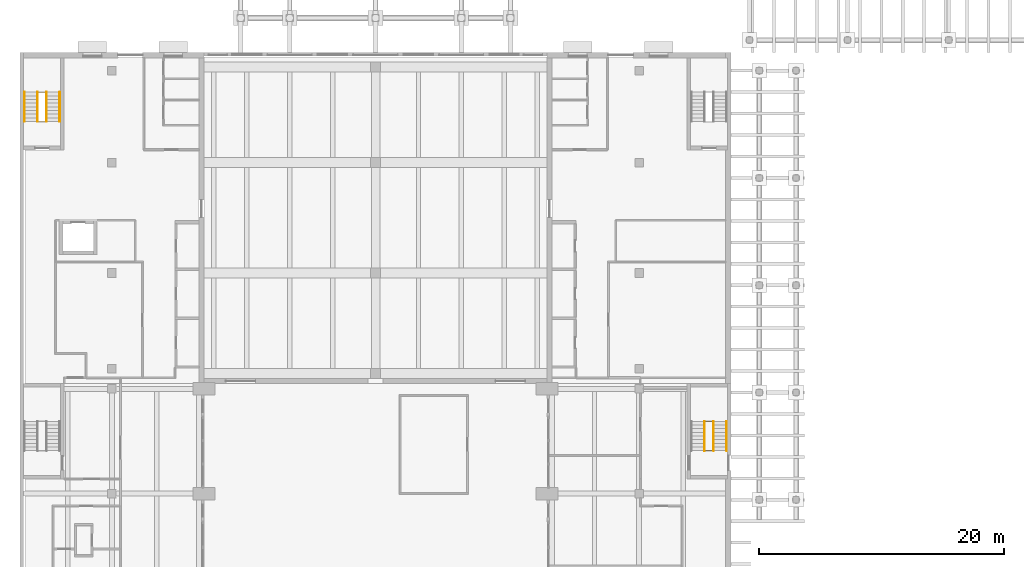
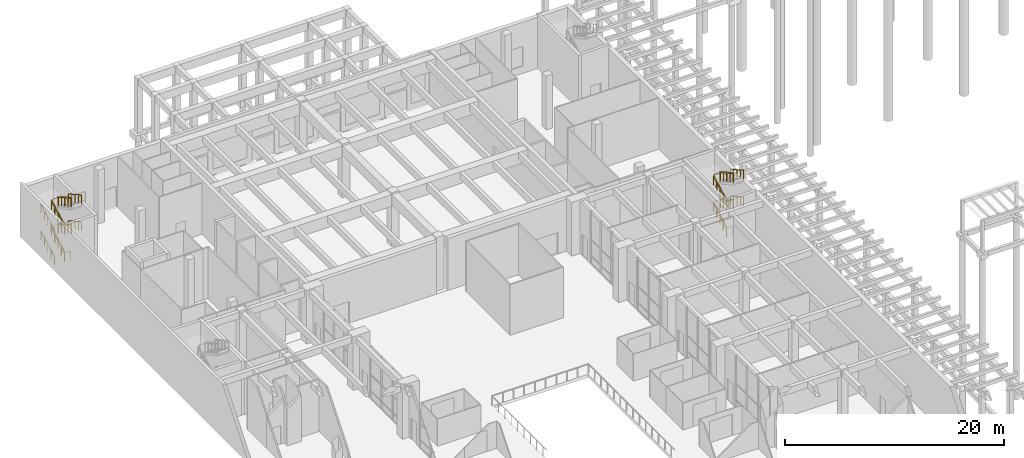
# One storey, part 48 of 51: 16 railings.
"""IFC4 building model written with IfcOpenShell, lengths in metres."""

from ifc_helpers import new_model, si_unit, direction, frame, origin, origin_2d, place, context, subcontext, project, spatial, circle, extrude, material, type_object, element, save


model = new_model("IFC4")

# Units and contexts
model_context = context("Model", 3, precision=1e-05, world=origin(), true_north=direction((0.0, 1.0)))
body_context = subcontext(model_context, "Body", "Model", "MODEL_VIEW")
ifc_project = project(units=[si_unit("LENGTHUNIT", "METRE"), si_unit("AREAUNIT", "SQUARE_METRE"), si_unit("VOLUMEUNIT", "CUBIC_METRE"), si_unit("PLANEANGLEUNIT", "RADIAN"), si_unit("MASSUNIT", "GRAM", prefix="KILO")], contexts=[model_context])

# Site, building, storey
site_placement = place(None, origin())
site = spatial("IfcSite", under=ifc_project, at=site_placement, CompositionType="ELEMENT")
building_placement = place(site_placement, origin())
building = spatial("IfcBuilding", under=site, at=building_placement, Name="Elmora Arch Market Hall", CompositionType="ELEMENT")
storey_placement = place(building_placement, origin())
storey = spatial("IfcBuildingStorey", under=building, at=storey_placement, Name="L00", CompositionType="ELEMENT", Elevation=0.0)

# Railings
ifc_material_1 = material(Name="Steel ASTM A500 Gr C", Category="steel")
railing_type_1 = type_object("IfcRailingType", Name="Stair guard 1100", PredefinedType="GUARDRAIL", material=ifc_material_1)
railing_1_placement = place(storey_placement, frame((2.1201171875, 120.35009765625, 0.0)))
element("IfcRailing", 1, at=railing_1_placement, inside=storey, type_object=railing_type_1, Name="Stair ST-W guard L00", PredefinedType="GUARDRAIL", context=body_context, shape_type="SweptSolid", body=[
    extrude(circle(Radius=0.02392578125, at=origin_2d()), frame((0.0, 0.0, 1.076171875), z_axis=(-1.0, 0.0, 0.0), x_axis=(0.0, -1.0, 0.0)), (0.0, 0.0, 1.0), 0.64013671875),
    extrude(circle(Radius=0.02392578125, at=origin_2d()), frame((-0.64013671875, 0.0, 1.076171875), z_axis=(0.0, 0.0, 1.0), x_axis=(1.0, 0.0, 0.0)), (0.0, 0.0, 1.0), 0.166748046875),
    extrude(circle(Radius=0.02392578125, at=origin_2d()), frame((-0.64013671875, 0.0, 1.24267578125), z_axis=(0.0, 0.874157276122, 0.485642931179), x_axis=(-1.0, 0.0, 0.0)), (0.0, 0.0, 1.0), 0.686279296875),
    extrude(circle(Radius=0.02392578125, at=origin_2d()), frame((-0.64013671875, 0.599853515625, 1.576171875), z_axis=(0.0, 0.874241147926, 0.485491931212), x_axis=(-1.0, 0.0, 0.0)), (0.0, 0.0, 1.0), 0.6865234375),
    extrude(circle(Radius=0.02392578125, at=origin_2d()), frame((-0.64013671875, 1.199951171875, 1.9091796875), z_axis=(0.0, 0.874006220275, 0.485914732151), x_axis=(-1.0, 0.0, 0.0)), (0.0, 0.0, 1.0), 0.686279296875),
    extrude(circle(Radius=0.02392578125, at=origin_2d()), frame((-0.64013671875, 1.7998046875, 2.24267578125), z_axis=(0.0, 0.874241147926, 0.485491931212), x_axis=(-1.0, 0.0, 0.0)), (0.0, 0.0, 1.0), 0.6865234375),
    extrude(circle(Radius=0.02392578125, at=origin_2d()), frame((-0.64013671875, 2.39990234375, 2.576171875), z_axis=(1.0, 0.0, 0.0), x_axis=(0.0, 1.0, 0.0)), (0.0, 0.0, 1.0), 0.64013671875),
    extrude(circle(Radius=0.02392578125, at=origin_2d()), frame((0.0, 2.39990234375, 2.576171875), z_axis=(0.0, 0.0, 1.0), x_axis=(1.0, 0.0, 0.0)), (0.0, 0.0, 1.0), 0.166748046875),
    extrude(circle(Radius=0.02392578125, at=origin_2d()), frame((0.0, 2.39990234375, 2.74267578125), z_axis=(0.0, -0.874241147926, 0.485491931212), x_axis=(1.0, 0.0, 0.0)), (0.0, 0.0, 1.0), 0.6865234375),
    extrude(circle(Radius=0.02392578125, at=origin_2d()), frame((0.0, 1.7998046875, 3.076171875), z_axis=(0.0, -0.874157276122, 0.485642931179), x_axis=(1.0, 0.0, 0.0)), (0.0, 0.0, 1.0), 0.686279296875),
    extrude(circle(Radius=0.02392578125, at=origin_2d()), frame((0.0, 1.199951171875, 3.4091796875), z_axis=(0.0, -0.874090171491, 0.485763699861), x_axis=(1.0, 0.0, 0.0)), (0.0, 0.0, 1.0), 0.6865234375),
    extrude(circle(Radius=0.02392578125, at=origin_2d()), frame((0.0, 0.599853515625, 3.74267578125), z_axis=(0.0, -0.874157276122, 0.485642931179), x_axis=(1.0, 0.0, 0.0)), (0.0, 0.0, 1.0), 0.686279296875),
    extrude(circle(Radius=0.02392578125, at=origin_2d()), frame((0.0, 0.0, 4.076171875), z_axis=(-1.0, 0.0, 0.0), x_axis=(0.0, -1.0, 0.0)), (0.0, 0.0, 1.0), 0.64013671875),
    extrude(circle(Radius=0.02392578125, at=origin_2d()), frame((-0.64013671875, 0.0, 4.076171875), z_axis=(0.0, 0.0, 1.0), x_axis=(1.0, 0.0, 0.0)), (0.0, 0.0, 1.0), 0.166748046875),
    extrude(circle(Radius=0.02392578125, at=origin_2d()), frame((-0.64013671875, 0.0, 4.24267578125), z_axis=(0.0, 0.874157276122, 0.485642931179), x_axis=(-1.0, 0.0, 0.0)), (0.0, 0.0, 1.0), 0.686279296875),
    extrude(circle(Radius=0.02392578125, at=origin_2d()), frame((-0.64013671875, 0.599853515625, 4.576171875), z_axis=(0.0, 0.874241147926, 0.485491931212), x_axis=(-1.0, 0.0, 0.0)), (0.0, 0.0, 1.0), 0.6865234375),
    extrude(circle(Radius=0.02392578125, at=origin_2d()), frame((-0.64013671875, 1.199951171875, 4.9091796875), z_axis=(0.0, 0.874006220275, 0.485914732151), x_axis=(-1.0, 0.0, 0.0)), (0.0, 0.0, 1.0), 0.686279296875),
    extrude(circle(Radius=0.02392578125, at=origin_2d()), frame((-0.64013671875, 1.7998046875, 5.24267578125), z_axis=(0.0, 0.874241147926, 0.485491931212), x_axis=(-1.0, 0.0, 0.0)), (0.0, 0.0, 1.0), 0.6865234375),
    extrude(circle(Radius=0.02392578125, at=origin_2d()), frame((-0.64013671875, 2.39990234375, 5.576171875), z_axis=(1.0, 0.0, 0.0), x_axis=(0.0, 1.0, 0.0)), (0.0, 0.0, 1.0), 0.64013671875),
    extrude(circle(Radius=0.02392578125, at=origin_2d()), frame((0.0, 2.39990234375, 5.576171875), z_axis=(0.0, 0.0, 1.0), x_axis=(1.0, 0.0, 0.0)), (0.0, 0.0, 1.0), 0.166748046875),
    extrude(circle(Radius=0.02392578125, at=origin_2d()), frame((0.0, 2.39990234375, 5.74267578125), z_axis=(0.0, -0.874241147926, 0.485491931212), x_axis=(1.0, 0.0, 0.0)), (0.0, 0.0, 1.0), 0.6865234375),
    extrude(circle(Radius=0.02392578125, at=origin_2d()), frame((0.0, 1.7998046875, 6.076171875), z_axis=(0.0, -0.874157276122, 0.485642931179), x_axis=(1.0, 0.0, 0.0)), (0.0, 0.0, 1.0), 0.686279296875),
    extrude(circle(Radius=0.02392578125, at=origin_2d()), frame((0.0, 1.199951171875, 6.4091796875), z_axis=(0.0, -0.874090171491, 0.485763699861), x_axis=(1.0, 0.0, 0.0)), (0.0, 0.0, 1.0), 0.6865234375),
    extrude(circle(Radius=0.02392578125, at=origin_2d()), frame((0.0, 0.599853515625, 6.74267578125), z_axis=(0.0, -0.874157276122, 0.485642931179), x_axis=(1.0, 0.0, 0.0)), (0.0, 0.0, 1.0), 0.686279296875),
    extrude(circle(Radius=0.02099609375, at=origin_2d()), origin(), (0.0, 0.0, 1.0), 1.052001953125),
    extrude(circle(Radius=0.02099609375, at=origin_2d()), frame((-0.64013671875, 0.0, 0.0)), (0.0, 0.0, 1.0), 1.052001953125),
    extrude(circle(Radius=0.02099609375, at=origin_2d()), frame((-0.64013671875, 0.0, 0.166748046875)), (0.0, 0.0, 1.0), 1.052001953125),
    extrude(circle(Radius=0.02099609375, at=origin_2d()), frame((-0.64013671875, 0.599853515625, 0.5)), (0.0, 0.0, 1.0), 1.052001953125),
    extrude(circle(Radius=0.02099609375, at=origin_2d()), frame((-0.64013671875, 1.199951171875, 0.833251953125)), (0.0, 0.0, 1.0), 1.052001953125),
    extrude(circle(Radius=0.02099609375, at=origin_2d()), frame((-0.64013671875, 1.7998046875, 1.166748046875)), (0.0, 0.0, 1.0), 1.052001953125),
    extrude(circle(Radius=0.02099609375, at=origin_2d()), frame((-0.64013671875, 2.39990234375, 1.5)), (0.0, 0.0, 1.0), 1.052001953125),
    extrude(circle(Radius=0.02099609375, at=origin_2d()), frame((0.0, 2.39990234375, 1.5)), (0.0, 0.0, 1.0), 1.052001953125),
    extrude(circle(Radius=0.02099609375, at=origin_2d()), frame((0.0, 2.39990234375, 1.666748046875)), (0.0, 0.0, 1.0), 1.052001953125),
    extrude(circle(Radius=0.02099609375, at=origin_2d()), frame((0.0, 1.7998046875, 2.0)), (0.0, 0.0, 1.0), 1.052001953125),
    extrude(circle(Radius=0.02099609375, at=origin_2d()), frame((0.0, 1.199951171875, 2.333251953125)), (0.0, 0.0, 1.0), 1.052001953125),
    extrude(circle(Radius=0.02099609375, at=origin_2d()), frame((0.0, 0.599853515625, 2.666748046875)), (0.0, 0.0, 1.0), 1.052001953125),
    extrude(circle(Radius=0.02099609375, at=origin_2d()), frame((0.0, 0.0, 3.0)), (0.0, 0.0, 1.0), 1.052001953125),
    extrude(circle(Radius=0.02099609375, at=origin_2d()), frame((-0.64013671875, 0.0, 3.0)), (0.0, 0.0, 1.0), 1.052001953125),
    extrude(circle(Radius=0.02099609375, at=origin_2d()), frame((-0.64013671875, 0.0, 3.166748046875)), (0.0, 0.0, 1.0), 1.052001953125),
    extrude(circle(Radius=0.02099609375, at=origin_2d()), frame((-0.64013671875, 0.599853515625, 3.5)), (0.0, 0.0, 1.0), 1.052001953125),
    extrude(circle(Radius=0.02099609375, at=origin_2d()), frame((-0.64013671875, 1.199951171875, 3.833251953125)), (0.0, 0.0, 1.0), 1.052001953125),
    extrude(circle(Radius=0.02099609375, at=origin_2d()), frame((-0.64013671875, 1.7998046875, 4.166748046875)), (0.0, 0.0, 1.0), 1.052001953125),
    extrude(circle(Radius=0.02099609375, at=origin_2d()), frame((-0.64013671875, 2.39990234375, 4.5)), (0.0, 0.0, 1.0), 1.052001953125),
    extrude(circle(Radius=0.02099609375, at=origin_2d()), frame((0.0, 2.39990234375, 4.5)), (0.0, 0.0, 1.0), 1.052001953125),
    extrude(circle(Radius=0.02099609375, at=origin_2d()), frame((0.0, 2.39990234375, 4.666748046875)), (0.0, 0.0, 1.0), 1.052001953125),
    extrude(circle(Radius=0.02099609375, at=origin_2d()), frame((0.0, 1.7998046875, 5.0)), (0.0, 0.0, 1.0), 1.052001953125),
    extrude(circle(Radius=0.02099609375, at=origin_2d()), frame((0.0, 1.199951171875, 5.333251953125)), (0.0, 0.0, 1.0), 1.052001953125),
    extrude(circle(Radius=0.02099609375, at=origin_2d()), frame((0.0, 0.599853515625, 5.666748046875)), (0.0, 0.0, 1.0), 1.052001953125),
    extrude(circle(Radius=0.02099609375, at=origin_2d()), frame((0.0, 0.0, 6.0)), (0.0, 0.0, 1.0), 1.052001953125),
])
railing_2_placement = place(storey_placement, frame((56.52001953125, 93.5, 0.0)))
element("IfcRailing", 2, at=railing_2_placement, inside=storey, type_object=railing_type_1, Name="Stair ST-EN guard L00", PredefinedType="GUARDRAIL", context=body_context, shape_type="SweptSolid", body=[
    extrude(circle(Radius=0.02392578125, at=origin_2d()), frame((0.0, 0.0, 1.076171875), z_axis=(-1.0, 0.0, 0.0), x_axis=(0.0, -1.0, 0.0)), (0.0, 0.0, 1.0), 0.64013671875),
    extrude(circle(Radius=0.02392578125, at=origin_2d()), frame((-0.64013671875, 0.0, 1.076171875), z_axis=(0.0, 0.0, 1.0), x_axis=(1.0, 0.0, 0.0)), (0.0, 0.0, 1.0), 0.166748046875),
    extrude(circle(Radius=0.02392578125, at=origin_2d()), frame((-0.64013671875, 0.0, 1.24267578125), z_axis=(0.0, 0.874241147926, 0.485491931212), x_axis=(-1.0, 0.0, 0.0)), (0.0, 0.0, 1.0), 0.6865234375),
    extrude(circle(Radius=0.02392578125, at=origin_2d()), frame((-0.64013671875, 0.60009765625, 1.576171875), z_axis=(0.0, 0.874157276122, 0.485642931179), x_axis=(-1.0, 0.0, 0.0)), (0.0, 0.0, 1.0), 0.686279296875),
    extrude(circle(Radius=0.02392578125, at=origin_2d()), frame((-0.64013671875, 1.199951171875, 1.9091796875), z_axis=(0.0, 0.874090171491, 0.485763699861), x_axis=(-1.0, 0.0, 0.0)), (0.0, 0.0, 1.0), 0.6865234375),
    extrude(circle(Radius=0.02392578125, at=origin_2d()), frame((-0.64013671875, 1.800048828125, 2.24267578125), z_axis=(0.0, 0.874157276122, 0.485642931179), x_axis=(-1.0, 0.0, 0.0)), (0.0, 0.0, 1.0), 0.686279296875),
    extrude(circle(Radius=0.02392578125, at=origin_2d()), frame((-0.64013671875, 2.39990234375, 2.576171875), z_axis=(1.0, 0.0, 0.0), x_axis=(0.0, 1.0, 0.0)), (0.0, 0.0, 1.0), 0.64013671875),
    extrude(circle(Radius=0.02392578125, at=origin_2d()), frame((0.0, 2.39990234375, 2.576171875), z_axis=(0.0, 0.0, 1.0), x_axis=(1.0, 0.0, 0.0)), (0.0, 0.0, 1.0), 0.166748046875),
    extrude(circle(Radius=0.02392578125, at=origin_2d()), frame((0.0, 2.39990234375, 2.74267578125), z_axis=(0.0, -0.874157276122, 0.485642931179), x_axis=(1.0, 0.0, 0.0)), (0.0, 0.0, 1.0), 0.686279296875),
    extrude(circle(Radius=0.02392578125, at=origin_2d()), frame((0.0, 1.800048828125, 3.076171875), z_axis=(0.0, -0.874241147926, 0.485491931212), x_axis=(1.0, 0.0, 0.0)), (0.0, 0.0, 1.0), 0.6865234375),
    extrude(circle(Radius=0.02392578125, at=origin_2d()), frame((0.0, 1.199951171875, 3.4091796875), z_axis=(0.0, -0.874006220275, 0.485914732151), x_axis=(1.0, 0.0, 0.0)), (0.0, 0.0, 1.0), 0.686279296875),
    extrude(circle(Radius=0.02392578125, at=origin_2d()), frame((0.0, 0.60009765625, 3.74267578125), z_axis=(0.0, -0.874241147926, 0.485491931212), x_axis=(1.0, 0.0, 0.0)), (0.0, 0.0, 1.0), 0.6865234375),
    extrude(circle(Radius=0.02392578125, at=origin_2d()), frame((0.0, 0.0, 4.076171875), z_axis=(-1.0, 0.0, 0.0), x_axis=(0.0, -1.0, 0.0)), (0.0, 0.0, 1.0), 0.64013671875),
    extrude(circle(Radius=0.02392578125, at=origin_2d()), frame((-0.64013671875, 0.0, 4.076171875), z_axis=(0.0, 0.0, 1.0), x_axis=(1.0, 0.0, 0.0)), (0.0, 0.0, 1.0), 0.166748046875),
    extrude(circle(Radius=0.02392578125, at=origin_2d()), frame((-0.64013671875, 0.0, 4.24267578125), z_axis=(0.0, 0.874241147926, 0.485491931212), x_axis=(-1.0, 0.0, 0.0)), (0.0, 0.0, 1.0), 0.6865234375),
    extrude(circle(Radius=0.02392578125, at=origin_2d()), frame((-0.64013671875, 0.60009765625, 4.576171875), z_axis=(0.0, 0.874157276122, 0.485642931179), x_axis=(-1.0, 0.0, 0.0)), (0.0, 0.0, 1.0), 0.686279296875),
    extrude(circle(Radius=0.02392578125, at=origin_2d()), frame((-0.64013671875, 1.199951171875, 4.9091796875), z_axis=(0.0, 0.874090171491, 0.485763699861), x_axis=(-1.0, 0.0, 0.0)), (0.0, 0.0, 1.0), 0.6865234375),
    extrude(circle(Radius=0.02392578125, at=origin_2d()), frame((-0.64013671875, 1.800048828125, 5.24267578125), z_axis=(0.0, 0.874157276122, 0.485642931179), x_axis=(-1.0, 0.0, 0.0)), (0.0, 0.0, 1.0), 0.686279296875),
    extrude(circle(Radius=0.02392578125, at=origin_2d()), frame((-0.64013671875, 2.39990234375, 5.576171875), z_axis=(1.0, 0.0, 0.0), x_axis=(0.0, 1.0, 0.0)), (0.0, 0.0, 1.0), 0.64013671875),
    extrude(circle(Radius=0.02392578125, at=origin_2d()), frame((0.0, 2.39990234375, 5.576171875), z_axis=(0.0, 0.0, 1.0), x_axis=(1.0, 0.0, 0.0)), (0.0, 0.0, 1.0), 0.166748046875),
    extrude(circle(Radius=0.02392578125, at=origin_2d()), frame((0.0, 2.39990234375, 5.74267578125), z_axis=(0.0, -0.874157276122, 0.485642931179), x_axis=(1.0, 0.0, 0.0)), (0.0, 0.0, 1.0), 0.686279296875),
    extrude(circle(Radius=0.02392578125, at=origin_2d()), frame((0.0, 1.800048828125, 6.076171875), z_axis=(0.0, -0.874241147926, 0.485491931212), x_axis=(1.0, 0.0, 0.0)), (0.0, 0.0, 1.0), 0.6865234375),
    extrude(circle(Radius=0.02392578125, at=origin_2d()), frame((0.0, 1.199951171875, 6.4091796875), z_axis=(0.0, -0.874006220275, 0.485914732151), x_axis=(1.0, 0.0, 0.0)), (0.0, 0.0, 1.0), 0.686279296875),
    extrude(circle(Radius=0.02392578125, at=origin_2d()), frame((0.0, 0.60009765625, 6.74267578125), z_axis=(0.0, -0.874241147926, 0.485491931212), x_axis=(1.0, 0.0, 0.0)), (0.0, 0.0, 1.0), 0.6865234375),
    extrude(circle(Radius=0.02099609375, at=origin_2d()), origin(), (0.0, 0.0, 1.0), 1.052001953125),
    extrude(circle(Radius=0.02099609375, at=origin_2d()), frame((-0.64013671875, 0.0, 0.0)), (0.0, 0.0, 1.0), 1.052001953125),
    extrude(circle(Radius=0.02099609375, at=origin_2d()), frame((-0.64013671875, 0.0, 0.166748046875)), (0.0, 0.0, 1.0), 1.052001953125),
    extrude(circle(Radius=0.02099609375, at=origin_2d()), frame((-0.64013671875, 0.60009765625, 0.5)), (0.0, 0.0, 1.0), 1.052001953125),
    extrude(circle(Radius=0.02099609375, at=origin_2d()), frame((-0.64013671875, 1.199951171875, 0.833251953125)), (0.0, 0.0, 1.0), 1.052001953125),
    extrude(circle(Radius=0.02099609375, at=origin_2d()), frame((-0.64013671875, 1.800048828125, 1.166748046875)), (0.0, 0.0, 1.0), 1.052001953125),
    extrude(circle(Radius=0.02099609375, at=origin_2d()), frame((-0.64013671875, 2.39990234375, 1.5)), (0.0, 0.0, 1.0), 1.052001953125),
    extrude(circle(Radius=0.02099609375, at=origin_2d()), frame((0.0, 2.39990234375, 1.5)), (0.0, 0.0, 1.0), 1.052001953125),
    extrude(circle(Radius=0.02099609375, at=origin_2d()), frame((0.0, 2.39990234375, 1.666748046875)), (0.0, 0.0, 1.0), 1.052001953125),
    extrude(circle(Radius=0.02099609375, at=origin_2d()), frame((0.0, 1.800048828125, 2.0)), (0.0, 0.0, 1.0), 1.052001953125),
    extrude(circle(Radius=0.02099609375, at=origin_2d()), frame((0.0, 1.199951171875, 2.333251953125)), (0.0, 0.0, 1.0), 1.052001953125),
    extrude(circle(Radius=0.02099609375, at=origin_2d()), frame((0.0, 0.60009765625, 2.666748046875)), (0.0, 0.0, 1.0), 1.052001953125),
    extrude(circle(Radius=0.02099609375, at=origin_2d()), frame((0.0, 0.0, 3.0)), (0.0, 0.0, 1.0), 1.052001953125),
    extrude(circle(Radius=0.02099609375, at=origin_2d()), frame((-0.64013671875, 0.0, 3.0)), (0.0, 0.0, 1.0), 1.052001953125),
    extrude(circle(Radius=0.02099609375, at=origin_2d()), frame((-0.64013671875, 0.0, 3.166748046875)), (0.0, 0.0, 1.0), 1.052001953125),
    extrude(circle(Radius=0.02099609375, at=origin_2d()), frame((-0.64013671875, 0.60009765625, 3.5)), (0.0, 0.0, 1.0), 1.052001953125),
    extrude(circle(Radius=0.02099609375, at=origin_2d()), frame((-0.64013671875, 1.199951171875, 3.833251953125)), (0.0, 0.0, 1.0), 1.052001953125),
    extrude(circle(Radius=0.02099609375, at=origin_2d()), frame((-0.64013671875, 1.800048828125, 4.166748046875)), (0.0, 0.0, 1.0), 1.052001953125),
    extrude(circle(Radius=0.02099609375, at=origin_2d()), frame((-0.64013671875, 2.39990234375, 4.5)), (0.0, 0.0, 1.0), 1.052001953125),
    extrude(circle(Radius=0.02099609375, at=origin_2d()), frame((0.0, 2.39990234375, 4.5)), (0.0, 0.0, 1.0), 1.052001953125),
    extrude(circle(Radius=0.02099609375, at=origin_2d()), frame((0.0, 2.39990234375, 4.666748046875)), (0.0, 0.0, 1.0), 1.052001953125),
    extrude(circle(Radius=0.02099609375, at=origin_2d()), frame((0.0, 1.800048828125, 5.0)), (0.0, 0.0, 1.0), 1.052001953125),
    extrude(circle(Radius=0.02099609375, at=origin_2d()), frame((0.0, 1.199951171875, 5.333251953125)), (0.0, 0.0, 1.0), 1.052001953125),
    extrude(circle(Radius=0.02099609375, at=origin_2d()), frame((0.0, 0.60009765625, 5.666748046875)), (0.0, 0.0, 1.0), 1.052001953125),
    extrude(circle(Radius=0.02099609375, at=origin_2d()), frame((0.0, 0.0, 6.0)), (0.0, 0.0, 1.0), 1.052001953125),
])
ifc_material_2 = material(Name="Stainless steel ASTM A554 Grade 304", Category="steel")
railing_type_2 = type_object("IfcRailingType", Name="Stair handrail 950", PredefinedType="HANDRAIL", material=ifc_material_2)
for number, where, name in (
    (3, (0.360107421875, 120.35009765625, 0.166748046875), "Stair ST-W L00 flight 1 handrail"),
    (4, (1.429931640625, 120.35009765625, 0.166748046875), "Stair ST-W L00 flight 1 handrail"),
):
    element("IfcRailing", number, at=place(storey_placement, frame(where)), inside=storey, type_object=railing_type_2, Name=name, PredefinedType="HANDRAIL", context=body_context, shape_type="SweptSolid", body=[
        extrude(circle(Radius=0.02392578125, at=origin_2d()), frame((0.0, 0.0, 0.92578125), z_axis=(0.0, 0.874157276122, 0.485642931179), x_axis=(-1.0, 0.0, 0.0)), (0.0, 0.0, 1.0), 0.686279296875),
        extrude(circle(Radius=0.02392578125, at=origin_2d()), frame((0.0, 0.599853515625, 1.25927734375), z_axis=(0.0, 0.874241147926, 0.485491931212), x_axis=(-1.0, 0.0, 0.0)), (0.0, 0.0, 1.0), 0.6865234375),
        extrude(circle(Radius=0.02392578125, at=origin_2d()), frame((0.0, 1.199951171875, 1.59228515625), z_axis=(0.0, 0.874006220275, 0.485914732151), x_axis=(-1.0, 0.0, 0.0)), (0.0, 0.0, 1.0), 0.686279296875),
        extrude(circle(Radius=0.02392578125, at=origin_2d()), frame((0.0, 1.7998046875, 1.92578125), z_axis=(0.0, 0.874241147926, 0.485491931212), x_axis=(-1.0, 0.0, 0.0)), (0.0, 0.0, 1.0), 0.6865234375),
        extrude(circle(Radius=0.02099609375, at=origin_2d()), origin(), (0.0, 0.0, 1.0), 0.90185546875),
        extrude(circle(Radius=0.02099609375, at=origin_2d()), frame((0.0, 0.599853515625, 0.333251953125)), (0.0, 0.0, 1.0), 0.90185546875),
        extrude(circle(Radius=0.02099609375, at=origin_2d()), frame((0.0, 1.199951171875, 0.66650390625)), (0.0, 0.0, 1.0), 0.90185546875),
        extrude(circle(Radius=0.02099609375, at=origin_2d()), frame((0.0, 1.7998046875, 1.0)), (0.0, 0.0, 1.0), 0.90185546875),
        extrude(circle(Radius=0.02099609375, at=origin_2d()), frame((0.0, 2.39990234375, 1.333251953125)), (0.0, 0.0, 1.0), 0.90185546875),
    ])
for number, where, name in (
    (5, (3.239990234375, 122.75, 1.666748046875), "Stair ST-W L00 flight 2 handrail"),
    (6, (2.169921875, 122.75, 1.666748046875), "Stair ST-W L00 flight 2 handrail"),
):
    element("IfcRailing", number, at=place(storey_placement, frame(where)), inside=storey, type_object=railing_type_2, Name=name, PredefinedType="HANDRAIL", context=body_context, shape_type="SweptSolid", body=[
        extrude(circle(Radius=0.02392578125, at=origin_2d()), frame((0.0, 0.0, 0.92578125), z_axis=(0.0, -0.874241147926, 0.485491931212), x_axis=(1.0, 0.0, 0.0)), (0.0, 0.0, 1.0), 0.6865234375),
        extrude(circle(Radius=0.02392578125, at=origin_2d()), frame((0.0, -0.60009765625, 1.25927734375), z_axis=(0.0, -0.874157276122, 0.485642931179), x_axis=(1.0, 0.0, 0.0)), (0.0, 0.0, 1.0), 0.686279296875),
        extrude(circle(Radius=0.02392578125, at=origin_2d()), frame((0.0, -1.199951171875, 1.59228515625), z_axis=(0.0, -0.874090171491, 0.485763699861), x_axis=(1.0, 0.0, 0.0)), (0.0, 0.0, 1.0), 0.6865234375),
        extrude(circle(Radius=0.02392578125, at=origin_2d()), frame((0.0, -1.800048828125, 1.92578125), z_axis=(0.0, -0.874157276122, 0.485642931179), x_axis=(1.0, 0.0, 0.0)), (0.0, 0.0, 1.0), 0.686279296875),
        extrude(circle(Radius=0.02099609375, at=origin_2d()), origin(), (0.0, 0.0, 1.0), 0.90185546875),
        extrude(circle(Radius=0.02099609375, at=origin_2d()), frame((0.0, -0.60009765625, 0.333251953125)), (0.0, 0.0, 1.0), 0.90185546875),
        extrude(circle(Radius=0.02099609375, at=origin_2d()), frame((0.0, -1.199951171875, 0.66650390625)), (0.0, 0.0, 1.0), 0.90185546875),
        extrude(circle(Radius=0.02099609375, at=origin_2d()), frame((0.0, -1.800048828125, 1.0)), (0.0, 0.0, 1.0), 0.90185546875),
        extrude(circle(Radius=0.02099609375, at=origin_2d()), frame((0.0, -2.39990234375, 1.333251953125)), (0.0, 0.0, 1.0), 0.90185546875),
    ])
for number, where, name in (
    (7, (0.360107421875, 120.35009765625, 3.166748046875), "Stair ST-W L00 flight 3 handrail"),
    (8, (1.429931640625, 120.35009765625, 3.166748046875), "Stair ST-W L00 flight 3 handrail"),
):
    element("IfcRailing", number, at=place(storey_placement, frame(where)), inside=storey, type_object=railing_type_2, Name=name, PredefinedType="HANDRAIL", context=body_context, shape_type="SweptSolid", body=[
        extrude(circle(Radius=0.02392578125, at=origin_2d()), frame((0.0, 0.0, 0.92578125), z_axis=(0.0, 0.874157276122, 0.485642931179), x_axis=(-1.0, 0.0, 0.0)), (0.0, 0.0, 1.0), 0.686279296875),
        extrude(circle(Radius=0.02392578125, at=origin_2d()), frame((0.0, 0.599853515625, 1.25927734375), z_axis=(0.0, 0.874241147926, 0.485491931212), x_axis=(-1.0, 0.0, 0.0)), (0.0, 0.0, 1.0), 0.6865234375),
        extrude(circle(Radius=0.02392578125, at=origin_2d()), frame((0.0, 1.199951171875, 1.59228515625), z_axis=(0.0, 0.874006220275, 0.485914732151), x_axis=(-1.0, 0.0, 0.0)), (0.0, 0.0, 1.0), 0.686279296875),
        extrude(circle(Radius=0.02392578125, at=origin_2d()), frame((0.0, 1.7998046875, 1.92578125), z_axis=(0.0, 0.874241147926, 0.485491931212), x_axis=(-1.0, 0.0, 0.0)), (0.0, 0.0, 1.0), 0.6865234375),
        extrude(circle(Radius=0.02099609375, at=origin_2d()), origin(), (0.0, 0.0, 1.0), 0.90185546875),
        extrude(circle(Radius=0.02099609375, at=origin_2d()), frame((0.0, 0.599853515625, 0.333251953125)), (0.0, 0.0, 1.0), 0.90185546875),
        extrude(circle(Radius=0.02099609375, at=origin_2d()), frame((0.0, 1.199951171875, 0.66650390625)), (0.0, 0.0, 1.0), 0.90185546875),
        extrude(circle(Radius=0.02099609375, at=origin_2d()), frame((0.0, 1.7998046875, 1.0)), (0.0, 0.0, 1.0), 0.90185546875),
        extrude(circle(Radius=0.02099609375, at=origin_2d()), frame((0.0, 2.39990234375, 1.333251953125)), (0.0, 0.0, 1.0), 0.90185546875),
    ])
for number, where, name in (
    (9, (3.239990234375, 122.75, 4.666748046875), "Stair ST-W L00 flight 4 handrail"),
    (10, (2.169921875, 122.75, 4.666748046875), "Stair ST-W L00 flight 4 handrail"),
):
    element("IfcRailing", number, at=place(storey_placement, frame(where)), inside=storey, type_object=railing_type_2, Name=name, PredefinedType="HANDRAIL", context=body_context, shape_type="SweptSolid", body=[
        extrude(circle(Radius=0.02392578125, at=origin_2d()), frame((0.0, 0.0, 0.92578125), z_axis=(0.0, -0.874241147926, 0.485491931212), x_axis=(1.0, 0.0, 0.0)), (0.0, 0.0, 1.0), 0.6865234375),
        extrude(circle(Radius=0.02392578125, at=origin_2d()), frame((0.0, -0.60009765625, 1.25927734375), z_axis=(0.0, -0.874157276122, 0.485642931179), x_axis=(1.0, 0.0, 0.0)), (0.0, 0.0, 1.0), 0.686279296875),
        extrude(circle(Radius=0.02392578125, at=origin_2d()), frame((0.0, -1.199951171875, 1.59228515625), z_axis=(0.0, -0.874090171491, 0.485763699861), x_axis=(1.0, 0.0, 0.0)), (0.0, 0.0, 1.0), 0.6865234375),
        extrude(circle(Radius=0.02392578125, at=origin_2d()), frame((0.0, -1.800048828125, 1.92578125), z_axis=(0.0, -0.874157276122, 0.485642931179), x_axis=(1.0, 0.0, 0.0)), (0.0, 0.0, 1.0), 0.686279296875),
        extrude(circle(Radius=0.02099609375, at=origin_2d()), origin(), (0.0, 0.0, 1.0), 0.90185546875),
        extrude(circle(Radius=0.02099609375, at=origin_2d()), frame((0.0, -0.60009765625, 0.333251953125)), (0.0, 0.0, 1.0), 0.90185546875),
        extrude(circle(Radius=0.02099609375, at=origin_2d()), frame((0.0, -1.199951171875, 0.66650390625)), (0.0, 0.0, 1.0), 0.90185546875),
        extrude(circle(Radius=0.02099609375, at=origin_2d()), frame((0.0, -1.800048828125, 1.0)), (0.0, 0.0, 1.0), 0.90185546875),
        extrude(circle(Radius=0.02099609375, at=origin_2d()), frame((0.0, -2.39990234375, 1.333251953125)), (0.0, 0.0, 1.0), 0.90185546875),
    ])
railing_3_placement = place(storey_placement, frame((55.830078125, 93.5, 0.166748046875)))
element("IfcRailing", 11, at=railing_3_placement, inside=storey, type_object=railing_type_2, Name="Stair ST-EN L00 flight 1 handrail", PredefinedType="HANDRAIL", context=body_context, shape_type="SweptSolid", body=[
    extrude(circle(Radius=0.02392578125, at=origin_2d()), frame((0.0, 0.0, 0.92578125), z_axis=(0.0, 0.874241147926, 0.485491931212), x_axis=(-1.0, 0.0, 0.0)), (0.0, 0.0, 1.0), 0.6865234375),
    extrude(circle(Radius=0.02392578125, at=origin_2d()), frame((0.0, 0.60009765625, 1.25927734375), z_axis=(0.0, 0.874157276122, 0.485642931179), x_axis=(-1.0, 0.0, 0.0)), (0.0, 0.0, 1.0), 0.686279296875),
    extrude(circle(Radius=0.02392578125, at=origin_2d()), frame((0.0, 1.199951171875, 1.59228515625), z_axis=(0.0, 0.874090171491, 0.485763699861), x_axis=(-1.0, 0.0, 0.0)), (0.0, 0.0, 1.0), 0.6865234375),
    extrude(circle(Radius=0.02392578125, at=origin_2d()), frame((0.0, 1.800048828125, 1.92578125), z_axis=(0.0, 0.874157276122, 0.485642931179), x_axis=(-1.0, 0.0, 0.0)), (0.0, 0.0, 1.0), 0.686279296875),
    extrude(circle(Radius=0.02099609375, at=origin_2d()), origin(), (0.0, 0.0, 1.0), 0.90185546875),
    extrude(circle(Radius=0.02099609375, at=origin_2d()), frame((0.0, 0.60009765625, 0.333251953125)), (0.0, 0.0, 1.0), 0.90185546875),
    extrude(circle(Radius=0.02099609375, at=origin_2d()), frame((0.0, 1.199951171875, 0.66650390625)), (0.0, 0.0, 1.0), 0.90185546875),
    extrude(circle(Radius=0.02099609375, at=origin_2d()), frame((0.0, 1.800048828125, 1.0)), (0.0, 0.0, 1.0), 0.90185546875),
    extrude(circle(Radius=0.02099609375, at=origin_2d()), frame((0.0, 2.39990234375, 1.333251953125)), (0.0, 0.0, 1.0), 0.90185546875),
])
for number, where, name in (
    (12, (57.639892578125, 95.89990234375, 1.666748046875), "Stair ST-EN L00 flight 2 handrail"),
    (13, (56.570068359375, 95.89990234375, 1.666748046875), "Stair ST-EN L00 flight 2 handrail"),
):
    element("IfcRailing", number, at=place(storey_placement, frame(where)), inside=storey, type_object=railing_type_2, Name=name, PredefinedType="HANDRAIL", context=body_context, shape_type="SweptSolid", body=[
        extrude(circle(Radius=0.02392578125, at=origin_2d()), frame((0.0, 0.0, 0.92578125), z_axis=(0.0, -0.874157276122, 0.485642931179), x_axis=(1.0, 0.0, 0.0)), (0.0, 0.0, 1.0), 0.686279296875),
        extrude(circle(Radius=0.02392578125, at=origin_2d()), frame((0.0, -0.599853515625, 1.25927734375), z_axis=(0.0, -0.874241147926, 0.485491931212), x_axis=(1.0, 0.0, 0.0)), (0.0, 0.0, 1.0), 0.6865234375),
        extrude(circle(Radius=0.02392578125, at=origin_2d()), frame((0.0, -1.199951171875, 1.59228515625), z_axis=(0.0, -0.874006220275, 0.485914732151), x_axis=(1.0, 0.0, 0.0)), (0.0, 0.0, 1.0), 0.686279296875),
        extrude(circle(Radius=0.02392578125, at=origin_2d()), frame((0.0, -1.7998046875, 1.92578125), z_axis=(0.0, -0.874241147926, 0.485491931212), x_axis=(1.0, 0.0, 0.0)), (0.0, 0.0, 1.0), 0.6865234375),
        extrude(circle(Radius=0.02099609375, at=origin_2d()), origin(), (0.0, 0.0, 1.0), 0.90185546875),
        extrude(circle(Radius=0.02099609375, at=origin_2d()), frame((0.0, -0.599853515625, 0.333251953125)), (0.0, 0.0, 1.0), 0.90185546875),
        extrude(circle(Radius=0.02099609375, at=origin_2d()), frame((0.0, -1.199951171875, 0.66650390625)), (0.0, 0.0, 1.0), 0.90185546875),
        extrude(circle(Radius=0.02099609375, at=origin_2d()), frame((0.0, -1.7998046875, 1.0)), (0.0, 0.0, 1.0), 0.90185546875),
        extrude(circle(Radius=0.02099609375, at=origin_2d()), frame((0.0, -2.39990234375, 1.333251953125)), (0.0, 0.0, 1.0), 0.90185546875),
    ])
railing_4_placement = place(storey_placement, frame((55.830078125, 93.5, 3.166748046875)))
element("IfcRailing", 14, at=railing_4_placement, inside=storey, type_object=railing_type_2, Name="Stair ST-EN L00 flight 3 handrail", PredefinedType="HANDRAIL", context=body_context, shape_type="SweptSolid", body=[
    extrude(circle(Radius=0.02392578125, at=origin_2d()), frame((0.0, 0.0, 0.92578125), z_axis=(0.0, 0.874241147926, 0.485491931212), x_axis=(-1.0, 0.0, 0.0)), (0.0, 0.0, 1.0), 0.6865234375),
    extrude(circle(Radius=0.02392578125, at=origin_2d()), frame((0.0, 0.60009765625, 1.25927734375), z_axis=(0.0, 0.874157276122, 0.485642931179), x_axis=(-1.0, 0.0, 0.0)), (0.0, 0.0, 1.0), 0.686279296875),
    extrude(circle(Radius=0.02392578125, at=origin_2d()), frame((0.0, 1.199951171875, 1.59228515625), z_axis=(0.0, 0.874090171491, 0.485763699861), x_axis=(-1.0, 0.0, 0.0)), (0.0, 0.0, 1.0), 0.6865234375),
    extrude(circle(Radius=0.02392578125, at=origin_2d()), frame((0.0, 1.800048828125, 1.92578125), z_axis=(0.0, 0.874157276122, 0.485642931179), x_axis=(-1.0, 0.0, 0.0)), (0.0, 0.0, 1.0), 0.686279296875),
    extrude(circle(Radius=0.02099609375, at=origin_2d()), origin(), (0.0, 0.0, 1.0), 0.90185546875),
    extrude(circle(Radius=0.02099609375, at=origin_2d()), frame((0.0, 0.60009765625, 0.333251953125)), (0.0, 0.0, 1.0), 0.90185546875),
    extrude(circle(Radius=0.02099609375, at=origin_2d()), frame((0.0, 1.199951171875, 0.66650390625)), (0.0, 0.0, 1.0), 0.90185546875),
    extrude(circle(Radius=0.02099609375, at=origin_2d()), frame((0.0, 1.800048828125, 1.0)), (0.0, 0.0, 1.0), 0.90185546875),
    extrude(circle(Radius=0.02099609375, at=origin_2d()), frame((0.0, 2.39990234375, 1.333251953125)), (0.0, 0.0, 1.0), 0.90185546875),
])
for number, where, name in (
    (15, (57.639892578125, 95.89990234375, 4.666748046875), "Stair ST-EN L00 flight 4 handrail"),
    (16, (56.570068359375, 95.89990234375, 4.666748046875), "Stair ST-EN L00 flight 4 handrail"),
):
    element("IfcRailing", number, at=place(storey_placement, frame(where)), inside=storey, type_object=railing_type_2, Name=name, PredefinedType="HANDRAIL", context=body_context, shape_type="SweptSolid", body=[
        extrude(circle(Radius=0.02392578125, at=origin_2d()), frame((0.0, 0.0, 0.92578125), z_axis=(0.0, -0.874157276122, 0.485642931179), x_axis=(1.0, 0.0, 0.0)), (0.0, 0.0, 1.0), 0.686279296875),
        extrude(circle(Radius=0.02392578125, at=origin_2d()), frame((0.0, -0.599853515625, 1.25927734375), z_axis=(0.0, -0.874241147926, 0.485491931212), x_axis=(1.0, 0.0, 0.0)), (0.0, 0.0, 1.0), 0.6865234375),
        extrude(circle(Radius=0.02392578125, at=origin_2d()), frame((0.0, -1.199951171875, 1.59228515625), z_axis=(0.0, -0.874006220275, 0.485914732151), x_axis=(1.0, 0.0, 0.0)), (0.0, 0.0, 1.0), 0.686279296875),
        extrude(circle(Radius=0.02392578125, at=origin_2d()), frame((0.0, -1.7998046875, 1.92578125), z_axis=(0.0, -0.874241147926, 0.485491931212), x_axis=(1.0, 0.0, 0.0)), (0.0, 0.0, 1.0), 0.6865234375),
        extrude(circle(Radius=0.02099609375, at=origin_2d()), origin(), (0.0, 0.0, 1.0), 0.90185546875),
        extrude(circle(Radius=0.02099609375, at=origin_2d()), frame((0.0, -0.599853515625, 0.333251953125)), (0.0, 0.0, 1.0), 0.90185546875),
        extrude(circle(Radius=0.02099609375, at=origin_2d()), frame((0.0, -1.199951171875, 0.66650390625)), (0.0, 0.0, 1.0), 0.90185546875),
        extrude(circle(Radius=0.02099609375, at=origin_2d()), frame((0.0, -1.7998046875, 1.0)), (0.0, 0.0, 1.0), 0.90185546875),
        extrude(circle(Radius=0.02099609375, at=origin_2d()), frame((0.0, -2.39990234375, 1.333251953125)), (0.0, 0.0, 1.0), 0.90185546875),
    ])

save(model, "model.ifc")
